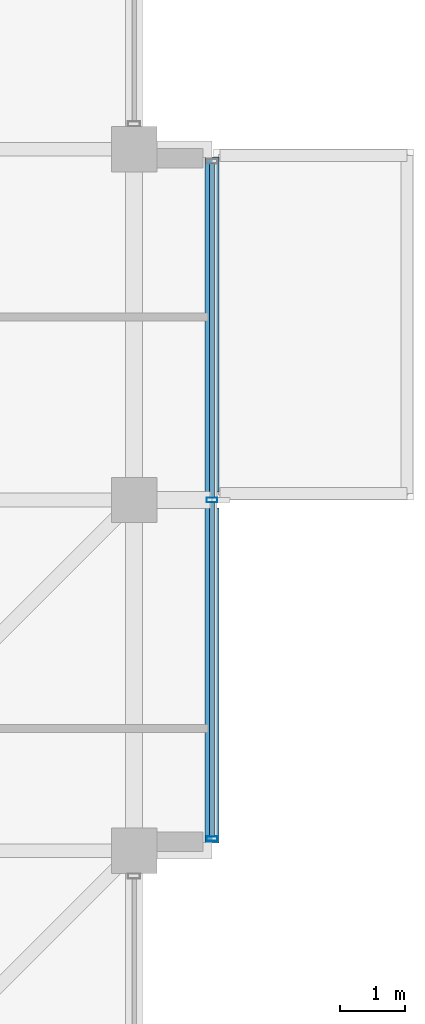
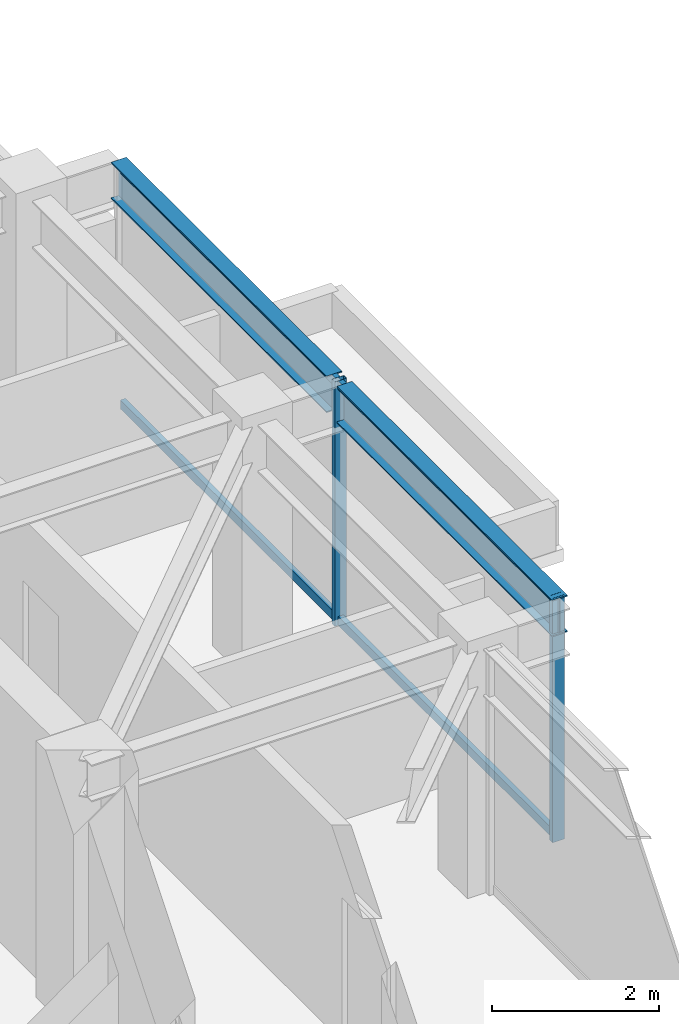
# One storey, part 11 of 31: 6 members, 2 beams, 1 element without a shape of its own.
"""IFC4 building model written with IfcOpenShell, lengths in metres."""

from ifc_helpers import new_model, si_unit, direction, frame, origin, origin_2d, place, context, subcontext, project, spatial, hollow_rectangle, i_section, extrude, material, layer, layer_set, material_profile, profile_set, type_object, element, aggregate, save


model = new_model("IFC4")

# Units and contexts
model_context = context("Model", 3, precision=1e-05, world=origin(), true_north=direction((0.0, 1.0)))
body_context = subcontext(model_context, "Body", "Model", "MODEL_VIEW")
ifc_project = project(units=[si_unit("LENGTHUNIT", "METRE"), si_unit("AREAUNIT", "SQUARE_METRE"), si_unit("VOLUMEUNIT", "CUBIC_METRE"), si_unit("PLANEANGLEUNIT", "RADIAN"), si_unit("MASSUNIT", "GRAM", prefix="KILO")], contexts=[model_context])

# Site, building, storey
site_placement = place(None, origin())
site = spatial("IfcSite", under=ifc_project, at=site_placement, CompositionType="ELEMENT")
building_placement = place(site_placement, origin())
building = spatial("IfcBuilding", under=site, at=building_placement, Name="Surkhivell Harbour Commons", CompositionType="ELEMENT")
storey_placement = place(building_placement, frame((0.0, 0.0, 270.0)))
storey = spatial("IfcBuildingStorey", under=building, at=storey_placement, Name="L70", CompositionType="ELEMENT", Elevation=270.0)

# Beams
ifc_material_1 = material(Name="Steel S355", Category="steel")
ifc_material_profile_1 = material_profile(ifc_material_1, i_section(OverallWidth=0.2099609375, OverallDepth=0.537109375, WebThickness=0.0107421875, FlangeThickness=0.017333984375, at=origin_2d()), Name="UB533x210x101")
ifc_profile_set_1 = profile_set([ifc_material_profile_1], Name="Steel S355")
beam_type = type_object("IfcBeamType", Name="BM-GRD-533B", PredefinedType="BEAM", material=ifc_profile_set_1)
for number, where, z_axis, x_axis, name in (
    (1, (17.39990234375, 0.1220703125, 3.301513671875), (0.0, 1.0, 0.0), (-1.0, 0.0, 0.0), "L70 Box Rim Spandrel (17.4,0.0)"),
    (2, (17.39990234375, 5.52197265625, 3.301513671875), (0.0, 1.0, 0.0), (-1.0, 0.0, 0.0), "L70 Box Rim Spandrel (17.4,5.4)"),
):
    element("IfcBeam", number, at=place(storey_placement, frame(where, z_axis=z_axis, x_axis=x_axis)), inside=storey, type_object=beam_type, Name=name, PredefinedType="BEAM", context=body_context, shape_type="SweptSolid", body=[
        extrude(i_section(OverallWidth=0.2099609375, OverallDepth=0.537109375, WebThickness=0.0107421875, FlangeThickness=0.017333984375, at=origin_2d()), origin(), (0.0, 0.0, 1.0), 5.156005859375),
    ])

# Curtain wall, members
ifc_material_2 = material(Name="Anodised pale-metal aluminium and insulated glazing", Category="aluminium")
ifc_layer = layer(ifc_material_2, 0.1650390625)
ifc_layer_set = layer_set([ifc_layer], Name="Anodised pale-metal aluminium and insulated glazing")
curtain_wall_type = type_object("IfcCurtainWallType", Name="CW-SYS-BOX", PredefinedType="NOTDEFINED", material=ifc_layer_set)
curtain_wall_placement = place(storey_placement, origin())
curtain_wall = element("IfcCurtainWall", 3, at=curtain_wall_placement, inside=storey, type_object=curtain_wall_type, Name="L70 Curtain Wall CW-L70-BOX01", PredefinedType="NOTDEFINED")
ifc_material_3 = material(Name="Champagne anodised aluminium alloy 6063-T6", Category="aluminium")
ifc_material_profile_2 = material_profile(ifc_material_3, hollow_rectangle(XDim=0.070068359375, YDim=0.1650390625, WallThickness=0.00341796875, at=origin_2d()), Name="ALU-MULL-70x165")
ifc_profile_set_2 = profile_set([ifc_material_profile_2], Name="Champagne anodised aluminium alloy 6063-T6")
member_type_1 = type_object("IfcMemberType", Name="CWM-165", PredefinedType="MULLION", material=ifc_profile_set_2)
member_1_placement = place(storey_placement, frame((17.39990234375, 0.18505859375, 0.0), z_axis=(0.0, 0.0, 1.0), x_axis=(0.0, 1.0, 0.0)))
member_1 = element("IfcMember", 4, at=member_1_placement, type_object=member_type_1, Name="CW-BOX mullion 1", PredefinedType="MULLION", context=body_context, shape_type="SweptSolid", body=[
    extrude(hollow_rectangle(XDim=0.070068359375, YDim=0.1650390625, WallThickness=0.00341796875, at=origin_2d()), origin(), (0.0, 0.0, 1.0), 3.570068359375),
])
member_2_placement = place(storey_placement, frame((17.39990234375, 5.39990234375, 0.0), z_axis=(0.0, 0.0, 1.0), x_axis=(0.0, 1.0, 0.0)))
member_2 = element("IfcMember", 5, at=member_2_placement, type_object=member_type_1, Name="CW-BOX mullion 2", PredefinedType="MULLION", context=body_context, shape_type="SweptSolid", body=[
    extrude(hollow_rectangle(XDim=0.070068359375, YDim=0.1650390625, WallThickness=0.00341796875, at=origin_2d()), origin(), (0.0, 0.0, 1.0), 3.570068359375),
])
ifc_material_profile_3 = material_profile(ifc_material_3, hollow_rectangle(XDim=0.070068359375, YDim=0.1298828125, WallThickness=0.00341796875, at=origin_2d()), Name="ALU-TRAN-70x130")
ifc_profile_set_3 = profile_set([ifc_material_profile_3], Name="Champagne anodised aluminium alloy 6063-T6")
member_type_2 = type_object("IfcMemberType", Name="CWT-130", PredefinedType="USERDEFINED", material=ifc_profile_set_3)
member_3_placement = place(storey_placement, frame((17.39990234375, 0.219970703125, 0.06494140625), z_axis=(0.0, 1.0, 0.0), x_axis=(-1.0, 0.0, 0.0)))
member_3 = element("IfcMember", 6, at=member_3_placement, type_object=member_type_2, Name="CW-BOX transom 1.1", ObjectType="TRANSOM", PredefinedType="USERDEFINED", context=body_context, shape_type="SweptSolid", body=[
    extrude(hollow_rectangle(XDim=0.070068359375, YDim=0.1298828125, WallThickness=0.00341796875, at=origin_2d()), origin(), (0.0, 0.0, 1.0), 5.14501953125),
])
member_4_placement = place(storey_placement, frame((17.39990234375, 0.219970703125, 3.5048828125), z_axis=(0.0, 1.0, 0.0), x_axis=(-1.0, 0.0, 0.0)))
member_4 = element("IfcMember", 7, at=member_4_placement, type_object=member_type_2, Name="CW-BOX transom 1.2", ObjectType="TRANSOM", PredefinedType="USERDEFINED", context=body_context, shape_type="SweptSolid", body=[
    extrude(hollow_rectangle(XDim=0.070068359375, YDim=0.1298828125, WallThickness=0.00341796875, at=origin_2d()), origin(), (0.0, 0.0, 1.0), 5.14501953125),
])
member_5_placement = place(storey_placement, frame((17.39990234375, 5.43505859375, 0.06494140625), z_axis=(0.0, 1.0, 0.0), x_axis=(-1.0, 0.0, 0.0)))
member_5 = element("IfcMember", 8, at=member_5_placement, type_object=member_type_2, Name="CW-BOX transom 2.1", ObjectType="TRANSOM", PredefinedType="USERDEFINED", context=body_context, shape_type="SweptSolid", body=[
    extrude(hollow_rectangle(XDim=0.070068359375, YDim=0.1298828125, WallThickness=0.00341796875, at=origin_2d()), origin(), (0.0, 0.0, 1.0), 5.14501953125),
])
member_6_placement = place(storey_placement, frame((17.39990234375, 5.43505859375, 3.5048828125), z_axis=(0.0, 1.0, 0.0), x_axis=(-1.0, 0.0, 0.0)))
member_6 = element("IfcMember", 9, at=member_6_placement, type_object=member_type_2, Name="CW-BOX transom 2.2", ObjectType="TRANSOM", PredefinedType="USERDEFINED", context=body_context, shape_type="SweptSolid", body=[
    extrude(hollow_rectangle(XDim=0.070068359375, YDim=0.1298828125, WallThickness=0.00341796875, at=origin_2d()), origin(), (0.0, 0.0, 1.0), 5.14501953125),
])
aggregate(curtain_wall, [member_1, member_2, member_3, member_4, member_5, member_6])

save(model, "model.ifc")
